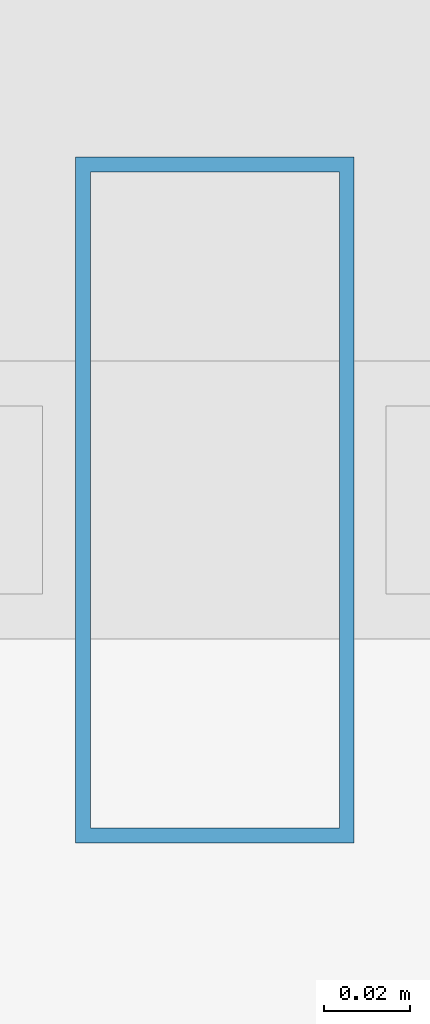
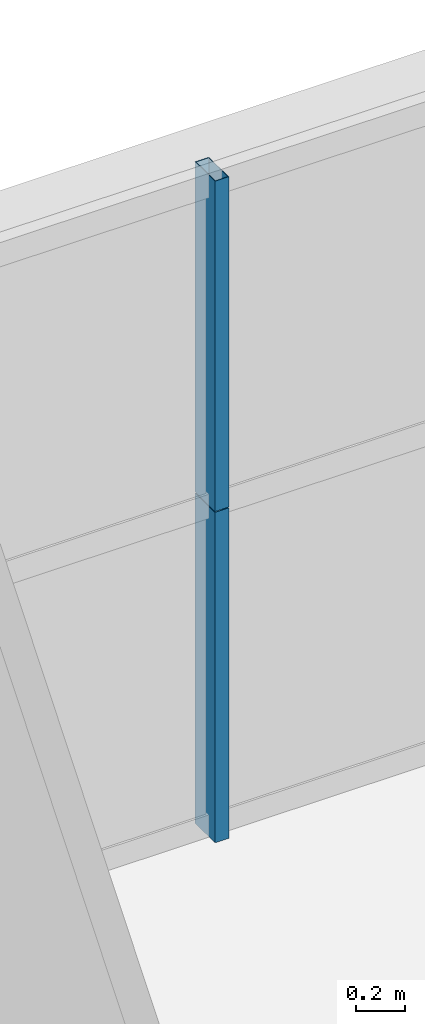
# One storey, part 33 of 45: 2 members, 1 element without a shape of its own.
"""IFC4 building model written with IfcOpenShell, lengths in metres."""

from ifc_helpers import new_model, si_unit, direction, frame, origin, origin_2d, place, context, subcontext, project, spatial, hollow_rectangle, extrude, source, transform, mapped, material, layer, layer_set, material_profile, profile_set, type_object, element, aggregate, save


model = new_model("IFC4")

# Units and contexts
model_context = context("Model", 3, precision=1e-05, world=origin(), true_north=direction((0.0, 1.0)))
body_context = subcontext(model_context, "Body", "Model", "MODEL_VIEW")
ifc_project = project(units=[si_unit("LENGTHUNIT", "METRE"), si_unit("AREAUNIT", "SQUARE_METRE"), si_unit("VOLUMEUNIT", "CUBIC_METRE"), si_unit("PLANEANGLEUNIT", "RADIAN"), si_unit("MASSUNIT", "GRAM", prefix="KILO"), si_unit("THERMODYNAMICTEMPERATUREUNIT", "KELVIN"), si_unit("POWERUNIT", "WATT")], contexts=[model_context])

# Site, building, storey
site_placement = place(None, origin())
site = spatial("IfcSite", under=ifc_project, at=site_placement, CompositionType="ELEMENT")
building_placement = place(site_placement, origin())
building = spatial("IfcBuilding", under=site, at=building_placement, Name="Yuzanri Waterfront Tower", CompositionType="ELEMENT")
storey_placement = place(building_placement, frame((0.0, 0.0, 191.5)))
storey = spatial("IfcBuildingStorey", under=building, at=storey_placement, Name="L50", CompositionType="ELEMENT", Elevation=191.5)

# Curtain wall, members
ifc_material_1 = material(Name="Anodized Architectural Bronze", Category="metal")
ifc_layer = layer(ifc_material_1, 0.159912109375)
ifc_layer_set = layer_set([ifc_layer], Name="Anodized Architectural Bronze")
curtain_wall_type = type_object("IfcCurtainWallType", Name="Anodized Bronze Mid-Rise Residential Acoustic Unitized Curtain Wall 7200", PredefinedType="NOTDEFINED", material=ifc_layer_set)
curtain_wall_placement = place(storey_placement, origin())
curtain_wall = element("IfcCurtainWall", 1, at=curtain_wall_placement, inside=storey, type_object=curtain_wall_type, Name="L50 Curtain Wall CW-L50-NL", PredefinedType="NOTDEFINED")
ifc_material_2 = material(Name="Anodized Architectural Bronze", Category="metal")
ifc_material_profile = material_profile(ifc_material_2, hollow_rectangle(XDim=0.06494140625, YDim=0.159912109375, WallThickness=0.00341796875, at=origin_2d()), Name="CWM 65x160")
ifc_profile_set = profile_set([ifc_material_profile], Name="Anodized Architectural Bronze")
member_type = type_object("IfcMemberType", Name="Anodized Bronze Upper-Zone Curtain-Wall Mullion 65x160", PredefinedType="MULLION", material=ifc_profile_set)
shared_shape = source(origin(), body_context, "Body", "SweptSolid", [
    extrude(hollow_rectangle(XDim=0.06494140625, YDim=0.159912109375, WallThickness=0.00341796875, at=origin_2d()), origin(), (0.0, 0.0, 1.0), 1.637939453125),
])
member_1_placement = place(storey_placement, frame((29.425048828125, 47.75, 0.0), z_axis=(0.0, 0.0, 1.0), x_axis=(1.0, 0.0, 0.0)))
member_1 = element("IfcMember", 2, at=member_1_placement, type_object=member_type, Name="CW-L50-NL Lower Mullion 01", PredefinedType="MULLION", context=body_context, shape_type="MappedRepresentation", body=[
    mapped(shared_shape, transform((0.0, 0.0, 0.0), scale=1.0)),
])
member_2_placement = place(storey_placement, frame((29.425048828125, 47.75, 1.64208984375), z_axis=(0.0, 0.0, 1.0), x_axis=(1.0, 0.0, 0.0)))
member_2 = element("IfcMember", 3, at=member_2_placement, type_object=member_type, Name="CW-L50-NL Upper Mullion 01", PredefinedType="MULLION", context=body_context, shape_type="MappedRepresentation", body=[
    mapped(shared_shape, transform((0.0, 0.0, 0.0), scale=1.0)),
])
aggregate(curtain_wall, [member_1, member_2])

save(model, "model.ifc")
